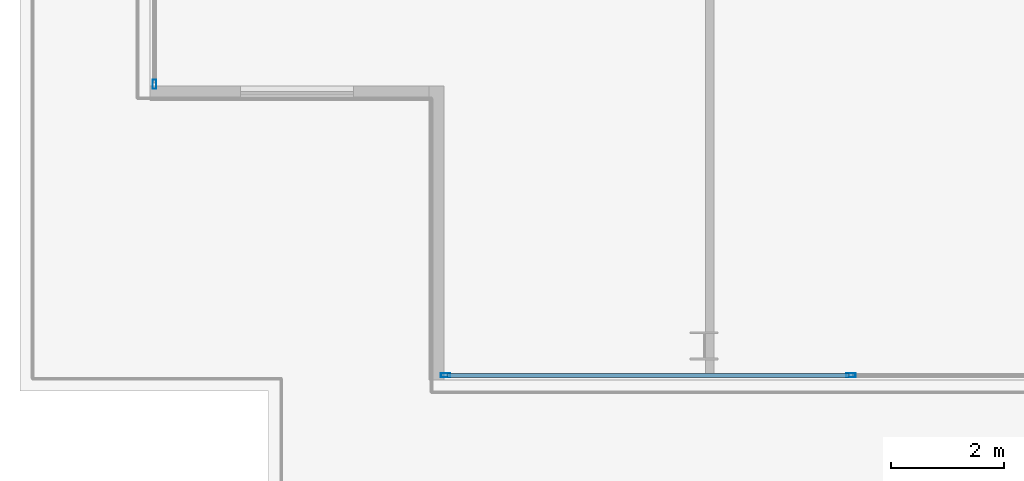
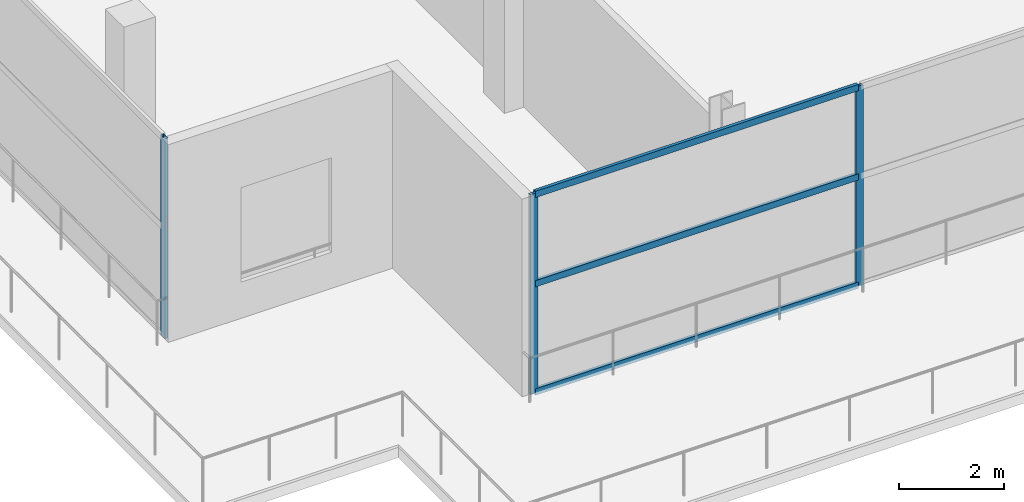
# One storey, part 2 of 28: 6 members, 2 elements without a shape of their own.
"""IFC4 building model written with IfcOpenShell, lengths in metres."""

from ifc_helpers import new_model, si_unit, direction, frame, origin, origin_2d, place, context, subcontext, project, spatial, hollow_rectangle, extrude, material, layer, layer_set, material_profile, profile_set, type_object, element, aggregate, save


model = new_model("IFC4")

# Units and contexts
model_context = context("Model", 3, precision=1e-05, world=origin(), true_north=direction((0.0, 1.0)))
body_context = subcontext(model_context, "Body", "Model", "MODEL_VIEW")
ifc_project = project(units=[si_unit("LENGTHUNIT", "METRE"), si_unit("AREAUNIT", "SQUARE_METRE"), si_unit("VOLUMEUNIT", "CUBIC_METRE"), si_unit("PLANEANGLEUNIT", "RADIAN"), si_unit("MASSUNIT", "GRAM", prefix="KILO")], contexts=[model_context])

# Site, building, storey
site_placement = place(None, origin())
site = spatial("IfcSite", under=ifc_project, at=site_placement, CompositionType="ELEMENT")
building_placement = place(site_placement, origin())
building = spatial("IfcBuilding", under=site, at=building_placement, Name="Maruvema Waterfront Hotel and Observation Tower", CompositionType="ELEMENT")
storey_placement = place(building_placement, frame((0.0, 0.0, 234.5)))
storey = spatial("IfcBuildingStorey", under=building, at=storey_placement, Name="L57", CompositionType="ELEMENT", Elevation=234.5)

# Curtain wall, members
ifc_material_1 = material(Name="Anodised bronze aluminium and solar-control low-E IGU", Category="aluminium")
ifc_layer = layer(ifc_material_1, 0.159912109375, Name="Zone 3 Champagne Inner Thermal Curtain Wall System CW-04")
ifc_layer_set = layer_set([ifc_layer], Name="Anodised bronze aluminium and solar-control low-E IGU")
curtain_wall_type = type_object("IfcCurtainWallType", Name="Zone 3 Champagne Inner Thermal Curtain Wall System CW-04", PredefinedType="USERDEFINED", material=ifc_layer_set)
curtain_wall_1_placement = place(storey_placement, origin())
curtain_wall_1 = element("IfcCurtainWall", 1, at=curtain_wall_1_placement, inside=storey, type_object=curtain_wall_type, Name="L57 Curtain Wall CW-L57-SW", ObjectType="UNITISED CURTAIN WALL", PredefinedType="USERDEFINED")
ifc_material_2 = material(Name="Anodised architectural bronze aluminium", Category="aluminium")
ifc_material_profile_1 = material_profile(ifc_material_2, hollow_rectangle(XDim=0.070068359375, YDim=0.14990234375, WallThickness=0.00390625, at=origin_2d()), Name="ALU-T70x150")
ifc_profile_set_1 = profile_set([ifc_material_profile_1], Name="Anodised architectural bronze aluminium")
member_type_1 = type_object("IfcMemberType", Name="Curtain Wall Horizontal Transom ALU-T70x150", PredefinedType="USERDEFINED", material=ifc_profile_set_1)
member_1_placement = place(storey_placement, frame((20.659912109375, 9.280029296875, 0.030029296875), z_axis=(1.0, 0.0, 0.0), x_axis=(0.0, 1.0, 0.0)))
member_1 = element("IfcMember", 2, at=member_1_placement, type_object=member_type_1, Name="CW-04 transom 1.1", ObjectType="TRANSOM", PredefinedType="USERDEFINED", context=body_context, shape_type="SweptSolid", body=[
    extrude(hollow_rectangle(XDim=0.070068359375, YDim=0.14990234375, WallThickness=0.00390625, at=origin_2d()), origin(), (0.0, 0.0, 1.0), 7.110107421875),
])
member_2_placement = place(storey_placement, frame((20.659912109375, 9.280029296875, 2.550048828125), z_axis=(1.0, 0.0, 0.0), x_axis=(0.0, 1.0, 0.0)))
member_2 = element("IfcMember", 3, at=member_2_placement, type_object=member_type_1, Name="CW-04 transom 1.2", ObjectType="TRANSOM", PredefinedType="USERDEFINED", context=body_context, shape_type="SweptSolid", body=[
    extrude(hollow_rectangle(XDim=0.070068359375, YDim=0.14990234375, WallThickness=0.00390625, at=origin_2d()), origin(), (0.0, 0.0, 1.0), 7.110107421875),
])
member_3_placement = place(storey_placement, frame((20.659912109375, 9.280029296875, 4.6298828125), z_axis=(1.0, 0.0, 0.0), x_axis=(0.0, 1.0, 0.0)))
member_3 = element("IfcMember", 4, at=member_3_placement, type_object=member_type_1, Name="CW-04 transom 1.3", ObjectType="TRANSOM", PredefinedType="USERDEFINED", context=body_context, shape_type="SweptSolid", body=[
    extrude(hollow_rectangle(XDim=0.070068359375, YDim=0.14990234375, WallThickness=0.00390625, at=origin_2d()), origin(), (0.0, 0.0, 1.0), 7.110107421875),
])
ifc_material_3 = material(Name="Anodised architectural bronze aluminium", Category="aluminium")
ifc_material_profile_2 = material_profile(ifc_material_3, hollow_rectangle(XDim=0.06494140625, YDim=0.1650390625, WallThickness=0.00390625, at=origin_2d()), Name="ALU-M65x165")
ifc_profile_set_2 = profile_set([ifc_material_profile_2], Name="Anodised architectural bronze aluminium")
member_type_2 = type_object("IfcMemberType", Name="Curtain Wall Primary Mullion ALU-M65x165", PredefinedType="MULLION", material=ifc_profile_set_2)
member_4_placement = place(storey_placement, frame((20.6298828125, 9.280029296875, 0.0), z_axis=(0.0, 0.0, 1.0), x_axis=(0.0, 1.0, 0.0)))
member_4 = element("IfcMember", 5, at=member_4_placement, type_object=member_type_2, Name="CW-04 mullion 1", PredefinedType="MULLION", context=body_context, shape_type="SweptSolid", body=[
    extrude(hollow_rectangle(XDim=0.06494140625, YDim=0.1650390625, WallThickness=0.00390625, at=origin_2d()), origin(), (0.0, 0.0, 1.0), 4.659912109375),
])
member_5_placement = place(storey_placement, frame((27.800048828125, 9.280029296875, 0.0), z_axis=(0.0, 0.0, 1.0), x_axis=(0.0, 1.0, 0.0)))
member_5 = element("IfcMember", 6, at=member_5_placement, type_object=member_type_2, Name="CW-04 mullion 2", PredefinedType="MULLION", context=body_context, shape_type="SweptSolid", body=[
    extrude(hollow_rectangle(XDim=0.06494140625, YDim=0.1650390625, WallThickness=0.00390625, at=origin_2d()), origin(), (0.0, 0.0, 1.0), 4.659912109375),
])
aggregate(curtain_wall_1, [member_4, member_5, member_1, member_2, member_3])

# Curtain wall, member
curtain_wall_2_placement = place(storey_placement, origin())
curtain_wall_2 = element("IfcCurtainWall", 7, at=curtain_wall_2_placement, inside=storey, type_object=curtain_wall_type, Name="L57 Curtain Wall CW-L57-W", ObjectType="UNITISED CURTAIN WALL", PredefinedType="USERDEFINED")
member_6_placement = place(storey_placement, frame((15.47998046875, 14.429931640625, 0.0), z_axis=(0.0, 0.0, 1.0), x_axis=(1.0, 0.0, 0.0)))
member_6 = element("IfcMember", 8, at=member_6_placement, type_object=member_type_2, Name="CW-04 mullion 6", PredefinedType="MULLION", context=body_context, shape_type="SweptSolid", body=[
    extrude(hollow_rectangle(XDim=0.06494140625, YDim=0.1650390625, WallThickness=0.00390625, at=origin_2d()), origin(), (0.0, 0.0, 1.0), 4.659912109375),
])
aggregate(curtain_wall_2, [member_6])

save(model, "model.ifc")
